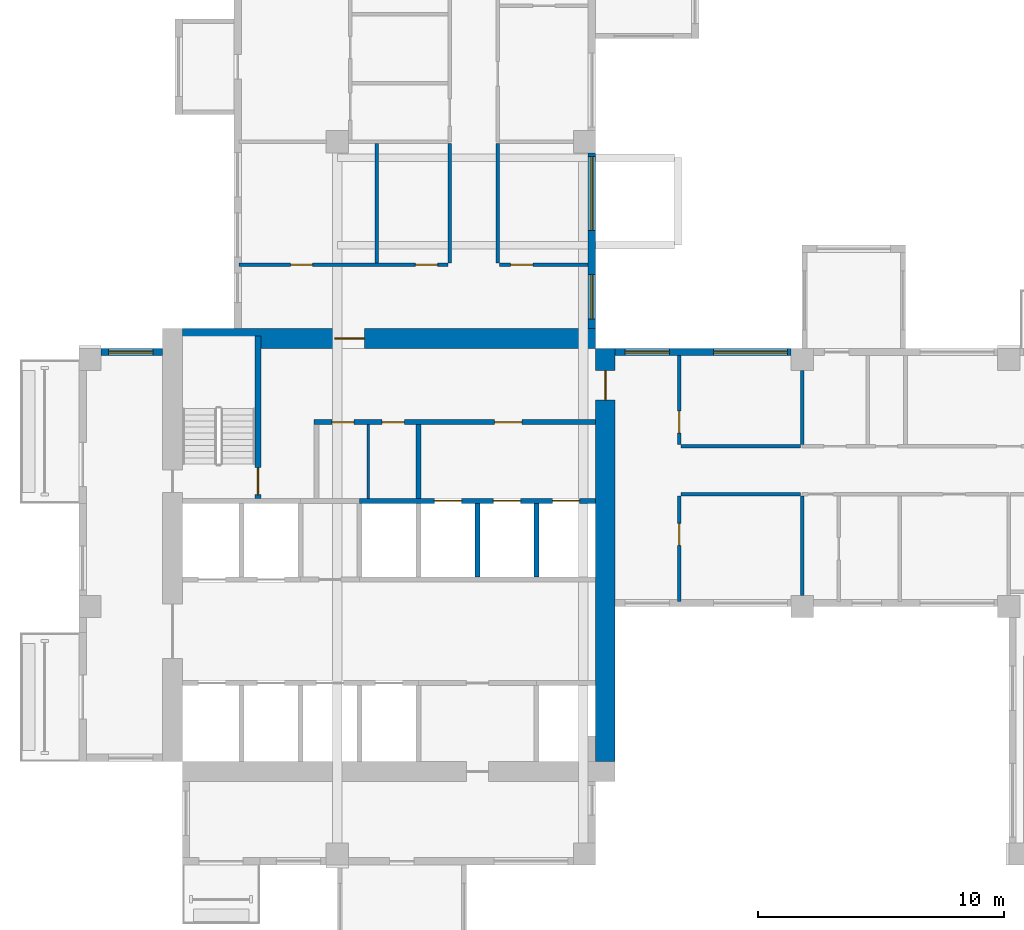
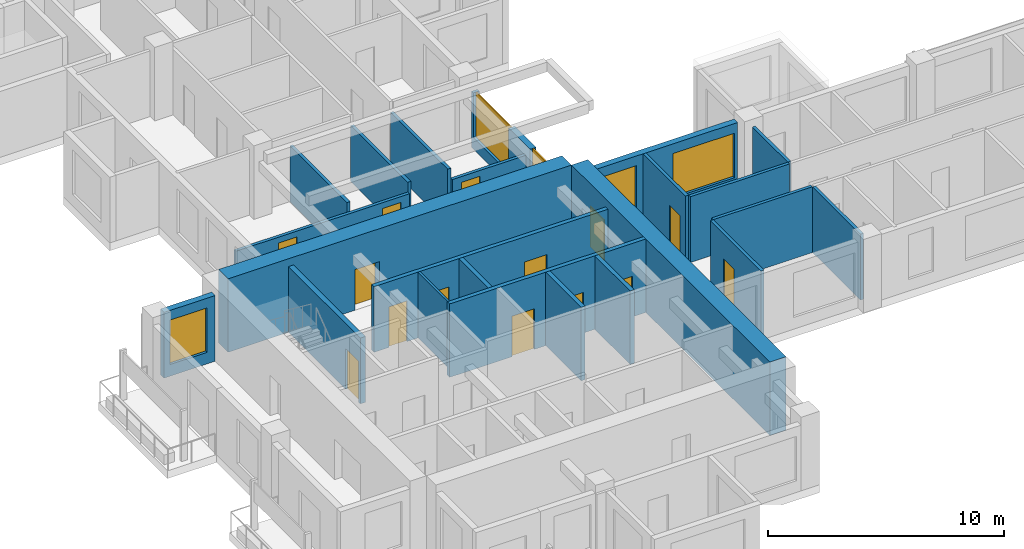
# One storey, part 3 of 11: 23 walls, 14 doors, 5 windows, 19 openings.
"""IFC4 building model written with IfcOpenShell, lengths in metres."""

from ifc_helpers import new_model, si_unit, direction, frame, frame_2d, origin, place, context, subcontext, project, spatial, rectangle, extrude, source, transform, mapped, material, layer, layer_set, type_object, element, fill, save


model = new_model("IFC4")

# Units and contexts
model_context = context("Model", 3, precision=1e-05, world=origin(), true_north=direction((0.0, 1.0)))
body_context = subcontext(model_context, "Body", "Model", "MODEL_VIEW")
ifc_project = project(units=[si_unit("LENGTHUNIT", "METRE"), si_unit("AREAUNIT", "SQUARE_METRE"), si_unit("VOLUMEUNIT", "CUBIC_METRE"), si_unit("PLANEANGLEUNIT", "RADIAN"), si_unit("MASSUNIT", "GRAM", prefix="KILO")], contexts=[model_context])

# Site, building, storey
site_placement = place(None, origin())
site = spatial("IfcSite", under=ifc_project, at=site_placement, CompositionType="ELEMENT")
building_placement = place(site_placement, origin())
building = spatial("IfcBuilding", under=site, at=building_placement, Name="Aurelian Terraces", CompositionType="ELEMENT")
storey_placement = place(building_placement, frame((0.0, 0.0, 208.2)))
storey = spatial("IfcBuildingStorey", under=building, at=storey_placement, Name="L46", CompositionType="ELEMENT", Elevation=208.2)

# Wall, openings, windows
ifc_material_1 = material(Name="Terracotta rainscreen cladding", Category="masonry")
ifc_layer_1 = layer(ifc_material_1, 0.3)
ifc_layer_set_1 = layer_set([ifc_layer_1], Name="EW-300")
wall_type_1 = type_object("IfcWallType", Name="EW-300", PredefinedType="STANDARD", material=ifc_layer_set_1)
wall_1_placement = place(storey_placement, frame((20.85, 21.8, 0.0), z_axis=(0.0, 0.0, 1.0), x_axis=(0.0, 1.0, 0.0)))
wall_1 = element("IfcWall", 1, at=wall_1_placement, inside=storey, type_object=wall_type_1, Name="External wall L46 F12.22", PredefinedType="STANDARD", context=body_context, shape_type="SweptSolid", body=[
    extrude(rectangle(XDim=7.15, YDim=0.3, at=frame_2d((3.575, 0.0))), origin(), (0.0, 0.0, 1.0), 2.9),
])
shared_shape_1 = source(origin(), body_context, "Body", "SweptSolid", [
    extrude(rectangle(XDim=1.8, YDim=2.3, at=frame_2d((0.9, 1.15))), frame((0.0, 0.16, 0.0), z_axis=(0.0, -1.0, 0.0), x_axis=(1.0, 0.0, 0.0)), (0.0, 0.0, 1.0), 0.32),
])
opening_1_placement = place(wall_1_placement, frame((0.4, 0.0, 0.6)))
opening_1 = element("IfcOpeningElement", 2, at=opening_1_placement, cuts=wall_1, Name="Opening W1823", PredefinedType="OPENING", context=body_context, shape_type="MappedRepresentation", body=[
    mapped(shared_shape_1, transform((0.0, 0.0, 0.0), scale=1.0)),
])
shared_shape_2 = source(origin(), body_context, "Body", "SweptSolid", [
    extrude(rectangle(XDim=3.0, YDim=2.3, at=frame_2d((1.5, 1.15))), frame((0.0, 0.16, 0.0), z_axis=(0.0, -1.0, 0.0), x_axis=(1.0, 0.0, 0.0)), (0.0, 0.0, 1.0), 0.32),
])
opening_2_placement = place(wall_1_placement, frame((4.0, 0.0, 0.6)))
opening_2 = element("IfcOpeningElement", 3, at=opening_2_placement, cuts=wall_1, Name="Opening W3023", PredefinedType="OPENING", context=body_context, shape_type="MappedRepresentation", body=[
    mapped(shared_shape_2, transform((0.0, 0.0, 0.0), scale=1.0)),
])
ifc_material_2 = material(Name="Clear glazing", Category="glass")
window_type_1 = type_object("IfcWindowType", Name="W-3000x2300", PartitioningType="SINGLE_PANEL", PredefinedType="WINDOW", material=ifc_material_2)
shared_shape_3 = source(origin(), body_context, "Body", "SweptSolid", [
    extrude(rectangle(XDim=3.0, YDim=2.3, at=frame_2d((1.5, 1.15))), frame((0.0, 0.03, 0.0), z_axis=(0.0, -1.0, 0.0), x_axis=(1.0, 0.0, 0.0)), (0.0, 0.0, 1.0), 0.06),
])
window_1_placement = place(opening_2_placement, origin())
window_1 = element("IfcWindow", 4, at=window_1_placement, inside=storey, type_object=window_type_1, Name="Window L46 L46-F12-22-1", OverallHeight=2.3, OverallWidth=3.0, PartitioningType="SINGLE_PANEL", PredefinedType="WINDOW", context=body_context, shape_type="MappedRepresentation", body=[
    mapped(shared_shape_3, transform((0.0, 0.0, 0.0), scale=1.0)),
])
fill(opening_2, window_1)
window_type_2 = type_object("IfcWindowType", Name="W-1800x2300", PartitioningType="SINGLE_PANEL", PredefinedType="WINDOW", material=ifc_material_2)
shared_shape_4 = source(origin(), body_context, "Body", "SweptSolid", [
    extrude(rectangle(XDim=1.8, YDim=2.3, at=frame_2d((0.9, 1.15))), frame((0.0, 0.03, 0.0), z_axis=(0.0, -1.0, 0.0), x_axis=(1.0, 0.0, 0.0)), (0.0, 0.0, 1.0), 0.06),
])
window_2_placement = place(opening_1_placement, origin())
window_2 = element("IfcWindow", 5, at=window_2_placement, inside=storey, type_object=window_type_2, Name="Window L46 L46-F12-22-0", OverallHeight=2.3, OverallWidth=1.8, PartitioningType="SINGLE_PANEL", PredefinedType="WINDOW", context=body_context, shape_type="MappedRepresentation", body=[
    mapped(shared_shape_4, transform((0.0, 0.0, 0.0), scale=1.0)),
])
fill(opening_1, window_2)

# Wall, openings, doors
ifc_material_3 = material(Name="Gypsum board on steel studs", Category="steel")
ifc_layer_2 = layer(ifc_material_3, 0.15)
ifc_layer_set_2 = layer_set([ifc_layer_2], Name="Partition 150")
wall_type_2 = type_object("IfcWallType", Name="Partition 150", PredefinedType="PARTITIONING", material=ifc_layer_set_2)
wall_2_placement = place(storey_placement, frame((6.505, 24.4, 0.0), z_axis=(0.0, 0.0, 1.0), x_axis=(1.0, 0.0, 0.0)))
wall_2 = element("IfcWall", 6, at=wall_2_placement, inside=storey, type_object=wall_type_2, Name="Partition", PredefinedType="PARTITIONING", context=body_context, shape_type="SweptSolid", body=[
    extrude(rectangle(XDim=8.495, YDim=0.15, at=frame_2d((4.2475, 0.0))), origin(), (0.0, 0.0, 1.0), 2.4),
])
shared_shape_5 = source(origin(), body_context, "Body", "SweptSolid", [
    extrude(rectangle(XDim=0.9, YDim=2.1, at=frame_2d((0.45, 1.05))), frame((0.0, 0.085, 0.0), z_axis=(0.0, -1.0, 0.0), x_axis=(1.0, 0.0, 0.0)), (0.0, 0.0, 1.0), 0.17),
])
opening_3_placement = place(wall_2_placement, frame((2.095, 0.0, 0.0)))
opening_3 = element("IfcOpeningElement", 7, at=opening_3_placement, cuts=wall_2, Name="Opening 746016", PredefinedType="OPENING", context=body_context, shape_type="MappedRepresentation", body=[
    mapped(shared_shape_5, transform((0.0, 0.0, 0.0), scale=1.0)),
])
opening_4_placement = place(wall_2_placement, frame((7.17, 0.0, 0.0)))
opening_4 = element("IfcOpeningElement", 8, at=opening_4_placement, cuts=wall_2, Name="Opening 746017", PredefinedType="OPENING", context=body_context, shape_type="MappedRepresentation", body=[
    mapped(shared_shape_5, transform((0.0, 0.0, 0.0), scale=1.0)),
])
ifc_material_4 = material(Name="Timber door leaf", Category="wood")
door_type_1 = type_object("IfcDoorType", Name="Room door 900x2100 left", OperationType="SINGLE_SWING_LEFT", PredefinedType="DOOR", material=ifc_material_4)
shared_shape_6 = source(origin(), body_context, "Body", "SweptSolid", [
    extrude(rectangle(XDim=0.9, YDim=2.1, at=frame_2d((0.45, 1.05))), frame((0.0, 0.025, 0.0), z_axis=(0.0, -1.0, 0.0), x_axis=(1.0, 0.0, 0.0)), (0.0, 0.0, 1.0), 0.05),
])
door_1_placement = place(opening_3_placement, origin())
door_1 = element("IfcDoor", 9, at=door_1_placement, inside=storey, type_object=door_type_1, Name="Door 746016", OperationType="SINGLE_SWING_LEFT", OverallHeight=2.1, OverallWidth=0.9, PredefinedType="DOOR", context=body_context, shape_type="MappedRepresentation", body=[
    mapped(shared_shape_6, transform((0.0, 0.0, 0.0), scale=1.0)),
])
fill(opening_3, door_1)
door_type_2 = type_object("IfcDoorType", Name="Room door 900x2100 right", OperationType="SINGLE_SWING_RIGHT", PredefinedType="DOOR", material=ifc_material_4)
door_2_placement = place(opening_4_placement, origin())
door_2 = element("IfcDoor", 10, at=door_2_placement, inside=storey, type_object=door_type_2, Name="Door 746017", OperationType="SINGLE_SWING_RIGHT", OverallHeight=2.1, OverallWidth=0.9, PredefinedType="DOOR", context=body_context, shape_type="MappedRepresentation", body=[
    mapped(shared_shape_6, transform((0.0, 0.0, 0.0), scale=1.0)),
])
fill(opening_4, door_2)

# Wall
wall_3_placement = place(storey_placement, frame((12.1, 24.475, 0.0), z_axis=(0.0, 0.0, 1.0), x_axis=(0.0, 1.0, 0.0)))
element("IfcWall", 11, at=wall_3_placement, inside=storey, type_object=wall_type_2, Name="Partition", PredefinedType="PARTITIONING", context=body_context, shape_type="SweptSolid", body=[
    extrude(rectangle(XDim=4.85, YDim=0.15, at=frame_2d((2.425, 0.0))), origin(), (0.0, 0.0, 1.0), 2.9),
])

# Wall, opening, door
ifc_material_5 = material(Name="Concrete fc' 70 MPa", Category="concrete")
ifc_layer_3 = layer(ifc_material_5, 0.8)
ifc_layer_set_3 = layer_set([ifc_layer_3], Name="CORE WALL 800 FC70")
wall_type_3 = type_object("IfcWallType", Name="CORE WALL 800 FC70", PredefinedType="SHEAR", material=ifc_layer_set_3)
shared_shape_7 = source(origin(), body_context, "Body", "SweptSolid", [
    extrude(rectangle(XDim=16.8, YDim=0.8, at=frame_2d((8.4, 0.0))), origin(), (0.0, 0.0, 1.0), 3.8),
])
wall_4_placement = place(storey_placement, frame((21.4, 4.2, 0.0), z_axis=(0.0, 0.0, 1.0), x_axis=(0.0, 1.0, 0.0)))
wall_4 = element("IfcWall", 12, at=wall_4_placement, inside=storey, type_object=wall_type_3, Name="Core wall E L46", PredefinedType="SHEAR", context=body_context, shape_type="MappedRepresentation", body=[
    mapped(shared_shape_7, transform((0.0, 0.0, 0.0), scale=1.0)),
])
shared_shape_8 = source(origin(), body_context, "Body", "SweptSolid", [
    extrude(rectangle(XDim=1.2, YDim=2.1, at=frame_2d((0.6, 1.05))), frame((0.0, 0.41, 0.0), z_axis=(0.0, -1.0, 0.0), x_axis=(1.0, 0.0, 0.0)), (0.0, 0.0, 1.0), 0.82),
])
opening_5_placement = place(wall_4_placement, frame((14.7, 0.0, 0.0)))
opening_5 = element("IfcOpeningElement", 13, at=opening_5_placement, cuts=wall_4, Name="Opening 64923", PredefinedType="OPENING", context=body_context, shape_type="MappedRepresentation", body=[
    mapped(shared_shape_8, transform((0.0, 0.0, 0.0), scale=1.0)),
])
ifc_material_6 = material(Name="Steel door leaf", Category="steel")
door_type_3 = type_object("IfcDoorType", Name="Core fire door 1200x2100 right", OperationType="SINGLE_SWING_RIGHT", PredefinedType="DOOR", material=ifc_material_6)
shared_shape_9 = source(origin(), body_context, "Body", "SweptSolid", [
    extrude(rectangle(XDim=1.2, YDim=2.1, at=frame_2d((0.6, 1.05))), frame((0.0, 0.025, 0.0), z_axis=(0.0, -1.0, 0.0), x_axis=(1.0, 0.0, 0.0)), (0.0, 0.0, 1.0), 0.05),
])
door_3_placement = place(opening_5_placement, origin())
door_3 = element("IfcDoor", 14, at=door_3_placement, inside=storey, type_object=door_type_3, Name="Core door 64923", OperationType="SINGLE_SWING_RIGHT", OverallHeight=2.1, OverallWidth=1.2, PredefinedType="DOOR", context=body_context, shape_type="MappedRepresentation", body=[
    mapped(shared_shape_9, transform((0.0, 0.0, 0.0), scale=1.0)),
])
fill(opening_5, door_3)

wall_5_placement = place(storey_placement, frame((4.2, 21.4, 0.0), z_axis=(0.0, 0.0, 1.0), x_axis=(1.0, 0.0, 0.0)))
wall_5 = element("IfcWall", 15, at=wall_5_placement, inside=storey, type_object=wall_type_3, Name="Core wall N L46", PredefinedType="SHEAR", context=body_context, shape_type="MappedRepresentation", body=[
    mapped(shared_shape_7, transform((0.0, 0.0, 0.0), scale=1.0)),
])
opening_6_placement = place(wall_5_placement, frame((6.2, 0.0, 0.0)))
opening_6 = element("IfcOpeningElement", 16, at=opening_6_placement, cuts=wall_5, Name="Opening 64922", PredefinedType="OPENING", context=body_context, shape_type="MappedRepresentation", body=[
    mapped(shared_shape_8, transform((0.0, 0.0, 0.0), scale=1.0)),
])
door_type_4 = type_object("IfcDoorType", Name="Core fire door 1200x2100", OperationType="SINGLE_SWING_LEFT", PredefinedType="DOOR", material=ifc_material_6)
door_4_placement = place(opening_6_placement, origin())
door_4 = element("IfcDoor", 17, at=door_4_placement, inside=storey, type_object=door_type_4, Name="Core door 64922", OperationType="SINGLE_SWING_LEFT", OverallHeight=2.1, OverallWidth=1.2, PredefinedType="DOOR", context=body_context, shape_type="MappedRepresentation", body=[
    mapped(shared_shape_9, transform((0.0, 0.0, 0.0), scale=1.0)),
])
fill(opening_6, door_4)

# Wall, openings, windows
shared_shape_10 = source(origin(), body_context, "Body", "SweptSolid", [
    extrude(rectangle(XDim=7.15, YDim=0.3, at=frame_2d((3.575, 0.0))), origin(), (0.0, 0.0, 1.0), 3.4),
])
wall_6_placement = place(storey_placement, frame((28.95, 20.85, 0.0), z_axis=(0.0, 0.0, 1.0), x_axis=(-1.0, 0.0, 0.0)))
wall_6 = element("IfcWall", 18, at=wall_6_placement, inside=storey, type_object=wall_type_1, Name="External wall L46 F11.21", PredefinedType="STANDARD", context=body_context, shape_type="MappedRepresentation", body=[
    mapped(shared_shape_10, transform((0.0, 0.0, 0.0), scale=1.0)),
])
opening_7_placement = place(wall_6_placement, frame((0.15, 0.0, 0.6)))
opening_7 = element("IfcOpeningElement", 19, at=opening_7_placement, cuts=wall_6, Name="Opening W3023", PredefinedType="OPENING", context=body_context, shape_type="MappedRepresentation", body=[
    mapped(shared_shape_2, transform((0.0, 0.0, 0.0), scale=1.0)),
])
opening_8_placement = place(wall_6_placement, frame((4.95, 0.0, 0.6)))
opening_8 = element("IfcOpeningElement", 20, at=opening_8_placement, cuts=wall_6, Name="Opening W1823", PredefinedType="OPENING", context=body_context, shape_type="MappedRepresentation", body=[
    mapped(shared_shape_1, transform((0.0, 0.0, 0.0), scale=1.0)),
])
window_3_placement = place(opening_7_placement, origin())
window_3 = element("IfcWindow", 21, at=window_3_placement, inside=storey, type_object=window_type_1, Name="Window L46 L46-F11-21-0", OverallHeight=2.3, OverallWidth=3.0, PartitioningType="SINGLE_PANEL", PredefinedType="WINDOW", context=body_context, shape_type="MappedRepresentation", body=[
    mapped(shared_shape_3, transform((0.0, 0.0, 0.0), scale=1.0)),
])
fill(opening_7, window_3)
window_4_placement = place(opening_8_placement, origin())
window_4 = element("IfcWindow", 22, at=window_4_placement, inside=storey, type_object=window_type_2, Name="Window L46 L46-F11-21-1", OverallHeight=2.3, OverallWidth=1.8, PartitioningType="SINGLE_PANEL", PredefinedType="WINDOW", context=body_context, shape_type="MappedRepresentation", body=[
    mapped(shared_shape_4, transform((0.0, 0.0, 0.0), scale=1.0)),
])
fill(opening_8, window_4)

# Wall, opening, window
shared_shape_11 = source(origin(), body_context, "Body", "SweptSolid", [
    extrude(rectangle(XDim=2.5, YDim=0.3, at=frame_2d((1.25, 0.0))), origin(), (0.0, 0.0, 1.0), 3.4),
])
wall_7_placement = place(storey_placement, frame((3.4, 20.85, 0.0), z_axis=(0.0, 0.0, 1.0), x_axis=(-1.0, 0.0, 0.0)))
wall_7 = element("IfcWall", 23, at=wall_7_placement, inside=storey, type_object=wall_type_1, Name="External wall L46 F23.38", PredefinedType="STANDARD", context=body_context, shape_type="MappedRepresentation", body=[
    mapped(shared_shape_11, transform((0.0, 0.0, 0.0), scale=1.0)),
])
opening_9_placement = place(wall_7_placement, frame((0.4, 0.0, 0.6)))
opening_9 = element("IfcOpeningElement", 24, at=opening_9_placement, cuts=wall_7, Name="Opening W1823", PredefinedType="OPENING", context=body_context, shape_type="MappedRepresentation", body=[
    mapped(shared_shape_1, transform((0.0, 0.0, 0.0), scale=1.0)),
])
window_5_placement = place(opening_9_placement, origin())
window_5 = element("IfcWindow", 25, at=window_5_placement, inside=storey, type_object=window_type_2, Name="Window L46 L46-F23-38-0", OverallHeight=2.3, OverallWidth=1.8, PartitioningType="SINGLE_PANEL", PredefinedType="WINDOW", context=body_context, shape_type="MappedRepresentation", body=[
    mapped(shared_shape_4, transform((0.0, 0.0, 0.0), scale=1.0)),
])
fill(opening_9, window_5)

# Walls
ifc_material_7 = material(Name="Concrete fc' 40 MPa", Category="concrete")
ifc_layer_4 = layer(ifc_material_7, 0.2)
ifc_layer_set_4 = layer_set([ifc_layer_4], Name="Lift shaft wall 200")
wall_type_4 = type_object("IfcWallType", Name="Lift shaft wall 200", PredefinedType="SOLIDWALL", material=ifc_layer_set_4)
shared_shape_12 = source(origin(), body_context, "Body", "SweptSolid", [
    extrude(rectangle(XDim=3.0, YDim=0.2, at=frame_2d((1.5, 0.0))), origin(), (0.0, 0.0, 1.0), 3.8),
])
for number, where, z_axis, x_axis, name in (
    (26, (16.2, 11.7, 0.0), (0.0, 0.0, 1.0), (0.0, 1.0, 0.0), "L46 core wall CD-B5"),
    (27, (18.6, 11.7, 0.0), (0.0, 0.0, 1.0), (0.0, 1.0, 0.0), "L46 core wall CD-B6"),
):
    element("IfcWall", number, at=place(storey_placement, frame(where, z_axis=z_axis, x_axis=x_axis)), inside=storey, type_object=wall_type_4, Name=name, PredefinedType="SOLIDWALL", context=body_context, shape_type="MappedRepresentation", body=[
        mapped(shared_shape_12, transform((0.0, 0.0, 0.0), scale=1.0)),
    ])

# Wall, openings, doors
shared_shape_13 = source(origin(), body_context, "Body", "SweptSolid", [
    extrude(rectangle(XDim=9.6, YDim=0.2, at=frame_2d((4.8, 0.0))), origin(), (0.0, 0.0, 1.0), 3.8),
])
wall_8_placement = place(storey_placement, frame((11.4, 14.8, 0.0), z_axis=(0.0, 0.0, 1.0), x_axis=(1.0, 0.0, 0.0)))
wall_8 = element("IfcWall", 28, at=wall_8_placement, inside=storey, type_object=wall_type_4, Name="L46 core wall CF-BB3", PredefinedType="SOLIDWALL", context=body_context, shape_type="MappedRepresentation", body=[
    mapped(shared_shape_13, transform((0.0, 0.0, 0.0), scale=1.0)),
])
shared_shape_14 = source(origin(), body_context, "Body", "SweptSolid", [
    extrude(rectangle(XDim=1.1, YDim=2.1, at=frame_2d((0.55, 1.05))), frame((0.0, 0.11, 0.0), z_axis=(0.0, -1.0, 0.0), x_axis=(1.0, 0.0, 0.0)), (0.0, 0.0, 1.0), 0.22),
])
opening_10_placement = place(wall_8_placement, frame((3.05, 0.0, 0.0)))
opening_10 = element("IfcOpeningElement", 29, at=opening_10_placement, cuts=wall_8, Name="Opening 64908", PredefinedType="OPENING", context=body_context, shape_type="MappedRepresentation", body=[
    mapped(shared_shape_14, transform((0.0, 0.0, 0.0), scale=1.0)),
])
opening_11_placement = place(wall_8_placement, frame((5.45, 0.0, 0.0)))
opening_11 = element("IfcOpeningElement", 30, at=opening_11_placement, cuts=wall_8, Name="Opening 64909", PredefinedType="OPENING", context=body_context, shape_type="MappedRepresentation", body=[
    mapped(shared_shape_14, transform((0.0, 0.0, 0.0), scale=1.0)),
])
opening_12_placement = place(wall_8_placement, frame((7.85, 0.0, 0.0)))
opening_12 = element("IfcOpeningElement", 31, at=opening_12_placement, cuts=wall_8, Name="Opening 64910", PredefinedType="OPENING", context=body_context, shape_type="MappedRepresentation", body=[
    mapped(shared_shape_14, transform((0.0, 0.0, 0.0), scale=1.0)),
])
ifc_material_8 = material(Name="Stainless steel", Category="steel")
door_type_5 = type_object("IfcDoorType", Name="Lift landing door 1100x2100", OperationType="SLIDING_TO_LEFT", PredefinedType="DOOR", material=ifc_material_8)
shared_shape_15 = source(origin(), body_context, "Body", "SweptSolid", [
    extrude(rectangle(XDim=1.1, YDim=2.1, at=frame_2d((0.55, 1.05))), frame((0.0, 0.025, 0.0), z_axis=(0.0, -1.0, 0.0), x_axis=(1.0, 0.0, 0.0)), (0.0, 0.0, 1.0), 0.05),
])
door_5_placement = place(opening_10_placement, origin())
door_5 = element("IfcDoor", 32, at=door_5_placement, inside=storey, type_object=door_type_5, Name="Lift landing door F1 L46", OperationType="SLIDING_TO_LEFT", OverallHeight=2.1, OverallWidth=1.1, PredefinedType="DOOR", context=body_context, shape_type="MappedRepresentation", body=[
    mapped(shared_shape_15, transform((0.0, 0.0, 0.0), scale=1.0)),
])
fill(opening_10, door_5)
door_6_placement = place(opening_11_placement, origin())
door_6 = element("IfcDoor", 33, at=door_6_placement, inside=storey, type_object=door_type_5, Name="Lift landing door F2 L46", OperationType="SLIDING_TO_LEFT", OverallHeight=2.1, OverallWidth=1.1, PredefinedType="DOOR", context=body_context, shape_type="MappedRepresentation", body=[
    mapped(shared_shape_15, transform((0.0, 0.0, 0.0), scale=1.0)),
])
fill(opening_11, door_6)
door_7_placement = place(opening_12_placement, origin())
door_7 = element("IfcDoor", 34, at=door_7_placement, inside=storey, type_object=door_type_5, Name="Lift landing door F3 L46", OperationType="SLIDING_TO_LEFT", OverallHeight=2.1, OverallWidth=1.1, PredefinedType="DOOR", context=body_context, shape_type="MappedRepresentation", body=[
    mapped(shared_shape_15, transform((0.0, 0.0, 0.0), scale=1.0)),
])
fill(opening_12, door_7)

# Walls
ifc_layer_5 = layer(ifc_material_3, 0.2)
ifc_layer_set_5 = layer_set([ifc_layer_5], Name="Core partition 200")
wall_type_5 = type_object("IfcWallType", Name="Core partition 200", PredefinedType="PARTITIONING", material=ifc_layer_set_5)
shared_shape_16 = source(origin(), body_context, "Body", "SweptSolid", [
    extrude(rectangle(XDim=3.0, YDim=0.2, at=frame_2d((1.5, 0.0))), origin(), (0.0, 0.0, 1.0), 3.4),
])
wall_9_placement = place(storey_placement, frame((13.8, 14.9, 0.0), z_axis=(0.0, 0.0, 1.0), x_axis=(0.0, 1.0, 0.0)))
element("IfcWall", 35, at=wall_9_placement, inside=storey, type_object=wall_type_5, Name="L46 core wall CP-FFL", PredefinedType="PARTITIONING", context=body_context, shape_type="MappedRepresentation", body=[
    mapped(shared_shape_16, transform((0.0, 0.0, 0.0), scale=1.0)),
])
ifc_layer_6 = layer(ifc_material_3, 0.1)
ifc_layer_set_6 = layer_set([ifc_layer_6], Name="Core partition 100")
wall_type_6 = type_object("IfcWallType", Name="Core partition 100", PredefinedType="PARTITIONING", material=ifc_layer_set_6)
shared_shape_17 = source(origin(), body_context, "Body", "SweptSolid", [
    extrude(rectangle(XDim=3.0, YDim=0.1, at=frame_2d((1.5, 0.0))), origin(), (0.0, 0.0, 1.0), 3.4),
])
wall_10_placement = place(storey_placement, frame((11.75, 14.9, 0.0), z_axis=(0.0, 0.0, 1.0), x_axis=(0.0, 1.0, 0.0)))
element("IfcWall", 36, at=wall_10_placement, inside=storey, type_object=wall_type_6, Name="L46 core wall CP-SV1", PredefinedType="PARTITIONING", context=body_context, shape_type="MappedRepresentation", body=[
    mapped(shared_shape_17, transform((0.0, 0.0, 0.0), scale=1.0)),
])

# Wall, opening, door
ifc_layer_7 = layer(ifc_material_7, 0.25)
ifc_layer_set_7 = layer_set([ifc_layer_7], Name="Stair enclosure wall 250")
wall_type_7 = type_object("IfcWallType", Name="Stair enclosure wall 250", PredefinedType="SOLIDWALL", material=ifc_layer_set_7)
shared_shape_18 = source(origin(), body_context, "Body", "SweptSolid", [
    extrude(rectangle(XDim=6.6, YDim=0.25, at=frame_2d((3.3, 0.0))), origin(), (0.0, 0.0, 1.0), 3.4),
])
wall_11_placement = place(storey_placement, frame((7.275, 14.9, 0.0), z_axis=(0.0, 0.0, 1.0), x_axis=(0.0, 1.0, 0.0)))
wall_11 = element("IfcWall", 37, at=wall_11_placement, inside=storey, type_object=wall_type_7, Name="L46 core wall ST-S1-E", PredefinedType="SOLIDWALL", context=body_context, shape_type="MappedRepresentation", body=[
    mapped(shared_shape_18, transform((0.0, 0.0, 0.0), scale=1.0)),
])
shared_shape_19 = source(origin(), body_context, "Body", "SweptSolid", [
    extrude(rectangle(XDim=1.1, YDim=2.1, at=frame_2d((0.55, 1.05))), frame((0.0, 0.135, 0.0), z_axis=(0.0, -1.0, 0.0), x_axis=(1.0, 0.0, 0.0)), (0.0, 0.0, 1.0), 0.27),
])
opening_13_placement = place(wall_11_placement, frame((0.15, 0.0, 0.0)))
opening_13 = element("IfcOpeningElement", 38, at=opening_13_placement, cuts=wall_11, Name="Opening 64911", PredefinedType="OPENING", context=body_context, shape_type="MappedRepresentation", body=[
    mapped(shared_shape_19, transform((0.0, 0.0, 0.0), scale=1.0)),
])
door_type_6 = type_object("IfcDoorType", Name="Core fire door 1100x2100", OperationType="SINGLE_SWING_LEFT", PredefinedType="DOOR", material=ifc_material_6)
door_8_placement = place(opening_13_placement, origin())
door_8 = element("IfcDoor", 39, at=door_8_placement, inside=storey, type_object=door_type_6, Name="Stair door 64911", OperationType="SINGLE_SWING_LEFT", OverallHeight=2.1, OverallWidth=1.1, PredefinedType="DOOR", context=body_context, shape_type="MappedRepresentation", body=[
    mapped(shared_shape_15, transform((0.0, 0.0, 0.0), scale=1.0)),
])
fill(opening_13, door_8)

# Wall, openings, doors
shared_shape_20 = source(origin(), body_context, "Body", "SweptSolid", [
    extrude(rectangle(XDim=11.45, YDim=0.2, at=frame_2d((5.725, 0.0))), origin(), (0.0, 0.0, 1.0), 3.4),
])
wall_12_placement = place(storey_placement, frame((9.55, 18.0, 0.0), z_axis=(0.0, 0.0, 1.0), x_axis=(1.0, 0.0, 0.0)))
wall_12 = element("IfcWall", 40, at=wall_12_placement, inside=storey, type_object=wall_type_5, Name="L46 core wall CP-NORTH", PredefinedType="PARTITIONING", context=body_context, shape_type="MappedRepresentation", body=[
    mapped(shared_shape_20, transform((0.0, 0.0, 0.0), scale=1.0)),
])
shared_shape_21 = source(origin(), body_context, "Body", "SweptSolid", [
    extrude(rectangle(XDim=0.9, YDim=2.1, at=frame_2d((0.45, 1.05))), frame((0.0, 0.11, 0.0), z_axis=(0.0, -1.0, 0.0), x_axis=(1.0, 0.0, 0.0)), (0.0, 0.0, 1.0), 0.22),
])
opening_14_placement = place(wall_12_placement, frame((0.725, 0.0, 0.0)))
opening_14 = element("IfcOpeningElement", 41, at=opening_14_placement, cuts=wall_12, Name="Opening 64912", PredefinedType="OPENING", context=body_context, shape_type="MappedRepresentation", body=[
    mapped(shared_shape_21, transform((0.0, 0.0, 0.0), scale=1.0)),
])
opening_15_placement = place(wall_12_placement, frame((2.775, 0.0, 0.0)))
opening_15 = element("IfcOpeningElement", 42, at=opening_15_placement, cuts=wall_12, Name="Opening 64913", PredefinedType="OPENING", context=body_context, shape_type="MappedRepresentation", body=[
    mapped(shared_shape_21, transform((0.0, 0.0, 0.0), scale=1.0)),
])
opening_16_placement = place(wall_12_placement, frame((7.35, 0.0, 0.0)))
opening_16 = element("IfcOpeningElement", 43, at=opening_16_placement, cuts=wall_12, Name="Opening 64914", PredefinedType="OPENING", context=body_context, shape_type="MappedRepresentation", body=[
    mapped(shared_shape_14, transform((0.0, 0.0, 0.0), scale=1.0)),
])
door_type_7 = type_object("IfcDoorType", Name="Core service door 900x2100 right", OperationType="SINGLE_SWING_RIGHT", PredefinedType="DOOR", material=ifc_material_6)
door_9_placement = place(opening_14_placement, origin())
door_9 = element("IfcDoor", 44, at=door_9_placement, inside=storey, type_object=door_type_7, Name="Room door 64912", OperationType="SINGLE_SWING_RIGHT", OverallHeight=2.1, OverallWidth=0.9, PredefinedType="DOOR", context=body_context, shape_type="MappedRepresentation", body=[
    mapped(shared_shape_6, transform((0.0, 0.0, 0.0), scale=1.0)),
])
fill(opening_14, door_9)
door_type_8 = type_object("IfcDoorType", Name="Core service door 900x2100", OperationType="SINGLE_SWING_LEFT", PredefinedType="DOOR", material=ifc_material_6)
door_10_placement = place(opening_15_placement, origin())
door_10 = element("IfcDoor", 45, at=door_10_placement, inside=storey, type_object=door_type_8, Name="Room door 64913", OperationType="SINGLE_SWING_LEFT", OverallHeight=2.1, OverallWidth=0.9, PredefinedType="DOOR", context=body_context, shape_type="MappedRepresentation", body=[
    mapped(shared_shape_6, transform((0.0, 0.0, 0.0), scale=1.0)),
])
fill(opening_15, door_10)
door_type_9 = type_object("IfcDoorType", Name="Core fire door 1100x2100 right", OperationType="SINGLE_SWING_RIGHT", PredefinedType="DOOR", material=ifc_material_6)
door_11_placement = place(opening_16_placement, origin())
door_11 = element("IfcDoor", 46, at=door_11_placement, inside=storey, type_object=door_type_9, Name="Ff lobby door 64914", OperationType="SINGLE_SWING_RIGHT", OverallHeight=2.1, OverallWidth=1.1, PredefinedType="DOOR", context=body_context, shape_type="MappedRepresentation", body=[
    mapped(shared_shape_15, transform((0.0, 0.0, 0.0), scale=1.0)),
])
fill(opening_16, door_11)

# Wall, opening, door
shared_shape_22 = source(origin(), body_context, "Body", "SweptSolid", [
    extrude(rectangle(XDim=3.6, YDim=0.15, at=frame_2d((1.8, 0.0))), origin(), (0.0, 0.0, 1.0), 3.4),
])
wall_13_placement = place(storey_placement, frame((24.4, 20.7, 0.0), z_axis=(0.0, 0.0, 1.0), x_axis=(0.0, -1.0, 0.0)))
wall_13 = element("IfcWall", 47, at=wall_13_placement, inside=storey, type_object=wall_type_2, Name="Partition", PredefinedType="PARTITIONING", context=body_context, shape_type="MappedRepresentation", body=[
    mapped(shared_shape_22, transform((0.0, 0.0, 0.0), scale=1.0)),
])
opening_17_placement = place(wall_13_placement, frame((2.25, 0.0, 0.0)))
opening_17 = element("IfcOpeningElement", 48, at=opening_17_placement, cuts=wall_13, Name="Opening 746002", PredefinedType="OPENING", context=body_context, shape_type="MappedRepresentation", body=[
    mapped(shared_shape_5, transform((0.0, 0.0, 0.0), scale=1.0)),
])
door_12_placement = place(opening_17_placement, origin())
door_12 = element("IfcDoor", 49, at=door_12_placement, inside=storey, type_object=door_type_1, Name="Door 746002", OperationType="SINGLE_SWING_LEFT", OverallHeight=2.1, OverallWidth=0.9, PredefinedType="DOOR", context=body_context, shape_type="MappedRepresentation", body=[
    mapped(shared_shape_6, transform((0.0, 0.0, 0.0), scale=1.0)),
])
fill(opening_17, door_12)

# Walls
shared_shape_23 = source(origin(), body_context, "Body", "SweptSolid", [
    extrude(rectangle(XDim=4.051, YDim=0.15, at=frame_2d((2.0255, 0.0))), origin(), (0.0, 0.0, 1.0), 3.4),
])
wall_14_placement = place(storey_placement, frame((29.4, 10.949, 0.0), z_axis=(0.0, 0.0, 1.0), x_axis=(0.0, 1.0, 0.0)))
element("IfcWall", 50, at=wall_14_placement, inside=storey, type_object=wall_type_2, Name="Partition", PredefinedType="PARTITIONING", context=body_context, shape_type="MappedRepresentation", body=[
    mapped(shared_shape_23, transform((0.0, 0.0, 0.0), scale=1.0)),
])
shared_shape_24 = source(origin(), body_context, "Body", "SweptSolid", [
    extrude(rectangle(XDim=3.001, YDim=0.15, at=frame_2d((1.5005, 0.0))), origin(), (0.0, 0.0, 1.0), 3.4),
])
wall_15_placement = place(storey_placement, frame((29.4, 17.1, 0.0), z_axis=(0.0, 0.0, 1.0), x_axis=(0.0, 1.0, 0.0)))
element("IfcWall", 51, at=wall_15_placement, inside=storey, type_object=wall_type_2, Name="Partition", PredefinedType="PARTITIONING", context=body_context, shape_type="MappedRepresentation", body=[
    mapped(shared_shape_24, transform((0.0, 0.0, 0.0), scale=1.0)),
])

# Wall, opening, door
shared_shape_25 = source(origin(), body_context, "Body", "SweptSolid", [
    extrude(rectangle(XDim=4.295, YDim=0.15, at=frame_2d((2.1475, 0.0))), origin(), (0.0, 0.0, 1.0), 3.4),
])
wall_16_placement = place(storey_placement, frame((24.4, 15.0, 0.0), z_axis=(0.0, 0.0, 1.0), x_axis=(0.0, -1.0, 0.0)))
wall_16 = element("IfcWall", 52, at=wall_16_placement, inside=storey, type_object=wall_type_2, Name="Partition", PredefinedType="PARTITIONING", context=body_context, shape_type="MappedRepresentation", body=[
    mapped(shared_shape_25, transform((0.0, 0.0, 0.0), scale=1.0)),
])
opening_18_placement = place(wall_16_placement, frame((1.1125, 0.0, 0.0)))
opening_18 = element("IfcOpeningElement", 53, at=opening_18_placement, cuts=wall_16, Name="Opening 746001", PredefinedType="OPENING", context=body_context, shape_type="MappedRepresentation", body=[
    mapped(shared_shape_5, transform((0.0, 0.0, 0.0), scale=1.0)),
])
door_13_placement = place(opening_18_placement, origin())
door_13 = element("IfcDoor", 54, at=door_13_placement, inside=storey, type_object=door_type_2, Name="Door 746001", OperationType="SINGLE_SWING_RIGHT", OverallHeight=2.1, OverallWidth=0.9, PredefinedType="DOOR", context=body_context, shape_type="MappedRepresentation", body=[
    mapped(shared_shape_6, transform((0.0, 0.0, 0.0), scale=1.0)),
])
fill(opening_18, door_13)

shared_shape_26 = source(origin(), body_context, "Body", "SweptSolid", [
    extrude(rectangle(XDim=3.6, YDim=0.15, at=frame_2d((1.8, 0.0))), origin(), (0.0, 0.0, 1.0), 2.4),
])
wall_17_placement = place(storey_placement, frame((17.1, 24.4, 0.0), z_axis=(0.0, 0.0, 1.0), x_axis=(1.0, 0.0, 0.0)))
wall_17 = element("IfcWall", 55, at=wall_17_placement, inside=storey, type_object=wall_type_2, Name="Partition", PredefinedType="PARTITIONING", context=body_context, shape_type="MappedRepresentation", body=[
    mapped(shared_shape_26, transform((0.0, 0.0, 0.0), scale=1.0)),
])
opening_19_placement = place(wall_17_placement, frame((0.45, 0.0, 0.0)))
opening_19 = element("IfcOpeningElement", 56, at=opening_19_placement, cuts=wall_17, Name="Opening 746018", PredefinedType="OPENING", context=body_context, shape_type="MappedRepresentation", body=[
    mapped(shared_shape_5, transform((0.0, 0.0, 0.0), scale=1.0)),
])
door_14_placement = place(opening_19_placement, origin())
door_14 = element("IfcDoor", 57, at=door_14_placement, inside=storey, type_object=door_type_1, Name="Door 746018", OperationType="SINGLE_SWING_LEFT", OverallHeight=2.1, OverallWidth=0.9, PredefinedType="DOOR", context=body_context, shape_type="MappedRepresentation", body=[
    mapped(shared_shape_6, transform((0.0, 0.0, 0.0), scale=1.0)),
])
fill(opening_19, door_14)

# Walls
ifc_layer_8 = layer(ifc_material_3, 0.15)
ifc_layer_set_8 = layer_set([ifc_layer_8], Name="Fire partition 150")
wall_type_8 = type_object("IfcWallType", Name="Fire partition 150", PredefinedType="PARTITIONING", material=ifc_layer_set_8)
shared_shape_27 = source(origin(), body_context, "Body", "SweptSolid", [
    extrude(rectangle(XDim=4.85, YDim=0.15, at=frame_2d((2.425, 0.0))), origin(), (0.0, 0.0, 1.0), 3.4),
])
for number, where, z_axis, x_axis, name in (
    (58, (29.325, 15.075, 0.0), (0.0, 0.0, 1.0), (-1.0, 0.0, 0.0), "Corridor wall"),
    (59, (24.475, 17.025, 0.0), (0.0, 0.0, 1.0), (1.0, 0.0, 0.0), "Corridor wall"),
):
    element("IfcWall", number, at=place(storey_placement, frame(where, z_axis=z_axis, x_axis=x_axis)), inside=storey, type_object=wall_type_8, Name=name, PredefinedType="PARTITIONING", context=body_context, shape_type="MappedRepresentation", body=[
        mapped(shared_shape_27, transform((0.0, 0.0, 0.0), scale=1.0)),
    ])
shared_shape_28 = source(origin(), body_context, "Body", "SweptSolid", [
    extrude(rectangle(XDim=4.85, YDim=0.15, at=frame_2d((2.425, 0.0))), origin(), (0.0, 0.0, 1.0), 2.9),
])
for number, where, z_axis, x_axis, name in (
    (60, (15.075, 24.475, 0.0), (0.0, 0.0, 1.0), (0.0, 1.0, 0.0), "Corridor wall"),
    (61, (17.025, 29.325, 0.0), (0.0, 0.0, 1.0), (0.0, -1.0, 0.0), "Corridor wall"),
):
    element("IfcWall", number, at=place(storey_placement, frame(where, z_axis=z_axis, x_axis=x_axis)), inside=storey, type_object=wall_type_8, Name=name, PredefinedType="PARTITIONING", context=body_context, shape_type="MappedRepresentation", body=[
        mapped(shared_shape_28, transform((0.0, 0.0, 0.0), scale=1.0)),
    ])

save(model, "model.ifc")
